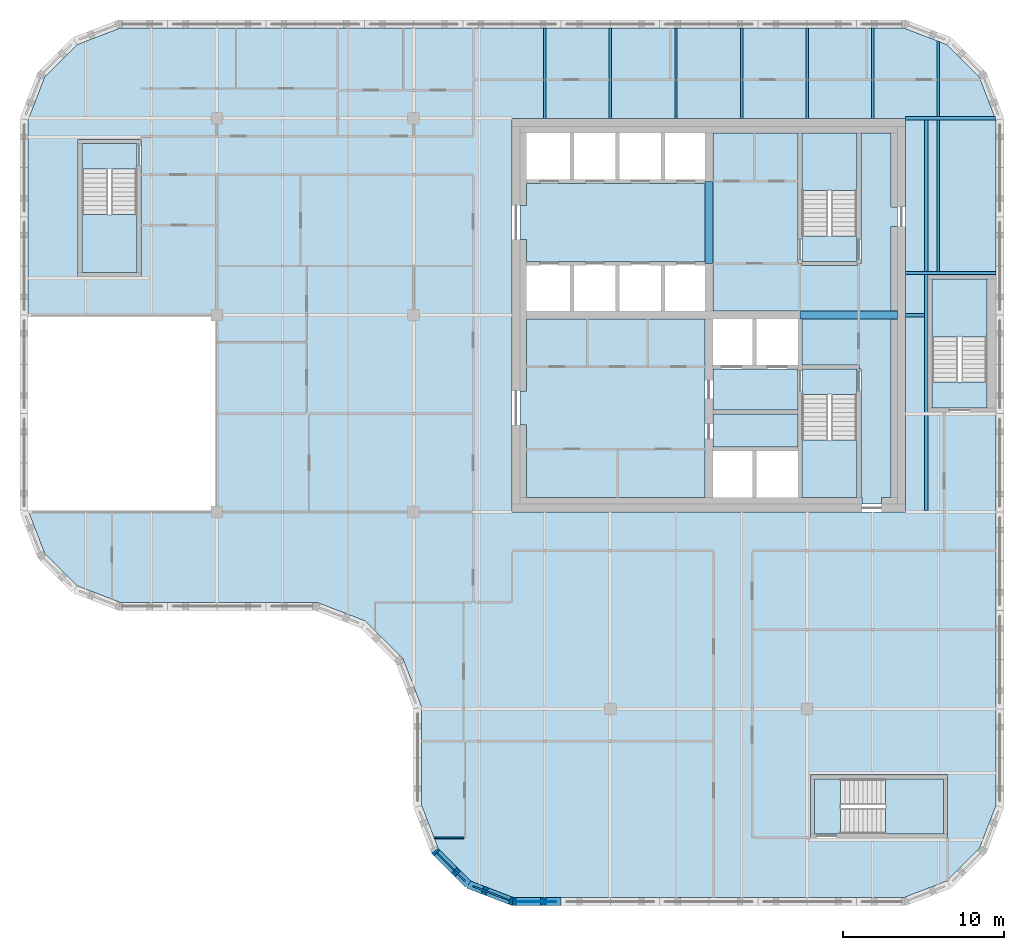
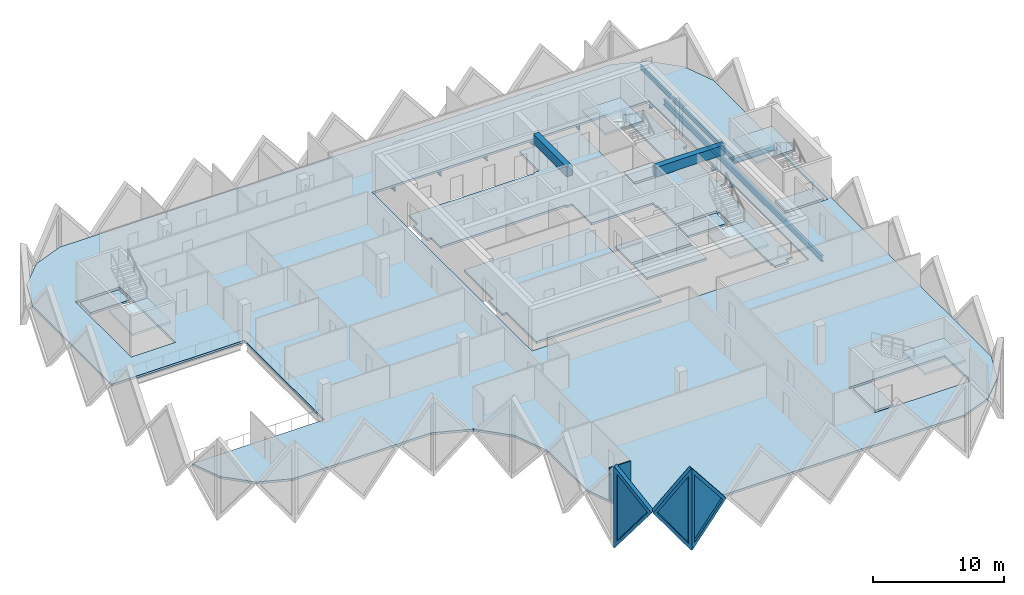
# One storey, part 2 of 12: 15 slabs, 14 beams, 4 walls, 3 plates, 3 openings, 5 elements without a shape of their own.
"""IFC4 building model written with IfcOpenShell, lengths in metres."""

import ifcopenshell
import ifcopenshell.guid

model = None  # the IFC model being written
_history = None  # IfcOwnerHistory: only IFC2X3 demands one
_inside = {}  # id of a spatial element -> (the spatial element, [elements in it])
_under = {}  # id of a project, library or spatial element -> (it, [spatial elements below it])
_declared = {}  # id of a project -> (the project, [libraries it declares])
_typed = {}  # id of a type object -> (the type object, [elements of that type])
_made_of = {}  # id of a material, layer set ... -> (it, [elements and type objects made of it])


def new_model(schema):
    """Start an empty IFC model of exactly this schema.

    Asked for "IFC4X3", IfcOpenShell would pick the latest addendum, in which some entities
    have other attributes; the version numbers below select the first issue.
    IFC2X3 requires an IfcOwnerHistory on every rooted entity: one is made here for all.
    """
    global model, _history
    if schema == "IFC4X3":
        model = ifcopenshell.file(schema_version=(4, 3, 0, 0))
    else:
        model = ifcopenshell.file(schema=schema)
    _inside.clear()
    _under.clear()
    _declared.clear()
    _typed.clear()
    _made_of.clear()
    _history = None
    if model.schema == "IFC2X3":
        org = make("IfcOrganization", Name="unknown")
        user = make(
            "IfcPersonAndOrganization",
            ThePerson=make("IfcPerson", FamilyName="unknown"),
            TheOrganization=org,
        )
        app = make(
            "IfcApplication",
            ApplicationDeveloper=org,
            Version="unknown",
            ApplicationFullName="unknown",
            ApplicationIdentifier="unknown",
        )
        _history = make(
            "IfcOwnerHistory",
            OwningUser=user,
            OwningApplication=app,
            ChangeAction="ADDED",
            CreationDate=0,
        )
    return model


def make(cls, **values):
    """One entity of the class cls with the attributes given. An attribute that is None is left unset."""
    return model.create_entity(
        cls, **{name: value for name, value in values.items() if value is not None}
    )


def rooted(cls, **values):
    """An entity with a GlobalId (a new one), such as an element, a storey or a relation."""
    return make(cls, GlobalId=ifcopenshell.guid.new(), OwnerHistory=_history, **values)


def si_unit(unit_type, name, prefix=None):
    """IfcSIUnit, for example si_unit("LENGTHUNIT", "METRE", prefix="MILLI")."""
    return make("IfcSIUnit", UnitType=unit_type, Prefix=prefix, Name=name)


def assignment(units):
    """IfcUnitAssignment: the units of a project."""
    return None if units is None else make("IfcUnitAssignment", Units=units)


def point(xyz):
    """IfcCartesianPoint."""
    return None if xyz is None else make("IfcCartesianPoint", Coordinates=xyz)


def direction(xyz):
    """IfcDirection."""
    return None if xyz is None else make("IfcDirection", DirectionRatios=xyz)


def frame(location, z_axis=None, x_axis=None):
    """IfcAxis2Placement3D, a coordinate frame: its origin and axes. An axis left out is left unset."""
    return make(
        "IfcAxis2Placement3D",
        Location=point(location),
        Axis=direction(z_axis),
        RefDirection=direction(x_axis),
    )


def frame_2d(location, x_axis=None):
    """IfcAxis2Placement2D, a coordinate frame in the plane: its origin and x axis."""
    return make(
        "IfcAxis2Placement2D", Location=point(location), RefDirection=direction(x_axis)
    )


def origin():
    """The frame at (0, 0, 0) with its axes left unset."""
    return frame((0.0, 0.0, 0.0))


def origin_2d():
    """The frame at (0, 0) in the plane with its x axis left unset."""
    return frame_2d((0.0, 0.0))


def place(relative_to, where):
    """IfcLocalPlacement: puts the frame where relative to a parent placement (None: the world)."""
    return make(
        "IfcLocalPlacement", PlacementRelTo=relative_to, RelativePlacement=where
    )


def context(
    kind, dimensions, precision=None, world=None, true_north=None, identifier=None
):
    """IfcGeometricRepresentationContext, for example the 3D "Model" context."""
    return make(
        "IfcGeometricRepresentationContext",
        ContextIdentifier=identifier,
        ContextType=kind,
        CoordinateSpaceDimension=dimensions,
        Precision=precision,
        WorldCoordinateSystem=world,
        TrueNorth=true_north,
    )


def subcontext(parent, identifier, kind, view, scale=None):
    """IfcGeometricRepresentationSubContext, for example "Body" below "Model"."""
    return make(
        "IfcGeometricRepresentationSubContext",
        ContextIdentifier=identifier,
        ContextType=kind,
        ParentContext=parent,
        TargetScale=scale,
        TargetView=view,
    )


def project(units=None, contexts=None):
    """IfcProject with its units and contexts."""
    return rooted(
        "IfcProject",
        Name="project",
        RepresentationContexts=contexts,
        UnitsInContext=assignment(units),
    )


def spatial(cls, under=None, at=None, **own):
    """A site, building, storey or space (cls), placed at a placement, below another one or the project."""
    s = rooted(cls, ObjectPlacement=at, **own)
    if under is not None:
        _under.setdefault(under.id(), (under, []))[1].append(s)
    return s


def polyline(points):
    """IfcPolyline through the points."""
    return make("IfcPolyline", Points=[point(p) for p in points])


def profile(cls, at=None, kind="AREA", **sizes):
    """A parametric profile (cls). Its sizes go by their IFC names, for example OverallWidth=200.0."""
    return make(cls, ProfileType=kind, Position=at, **sizes)


def rectangle(**sizes):
    """IfcRectangleProfileDef."""
    return profile("IfcRectangleProfileDef", **sizes)


def i_section(**sizes):
    """IfcIShapeProfileDef."""
    return profile("IfcIShapeProfileDef", **sizes)


def outline(outer, holes=None, kind="AREA"):
    """IfcArbitraryClosedProfileDef: a profile drawn as a closed curve; with holes, ...WithVoids."""
    if holes is None:
        return make("IfcArbitraryClosedProfileDef", ProfileType=kind, OuterCurve=outer)
    return make(
        "IfcArbitraryProfileDefWithVoids",
        ProfileType=kind,
        OuterCurve=outer,
        InnerCurves=holes,
    )


def extrude(swept, where, along, depth):
    """IfcExtrudedAreaSolid: the profile swept, set in the frame where, extruded along a direction by depth."""
    return make(
        "IfcExtrudedAreaSolid",
        SweptArea=swept,
        Position=where,
        ExtrudedDirection=direction(along),
        Depth=depth,
    )


def faces_of(points, faces, orient=None, outer=None):
    """IfcFace entities. A face is a list of loops; a loop is a list of indices into points, from 0.

    orient and outer hold one flag for each loop. By default every Orientation is true, the
    first loop of a face is its IfcFaceOuterBound and the others are IfcFaceBound.
    """
    made = []
    for i, loops in enumerate(faces):
        bounds = []
        for j, loop in enumerate(loops):
            is_outer = j == 0 if outer is None else outer[i][j]
            bounds.append(
                make(
                    "IfcFaceOuterBound" if is_outer else "IfcFaceBound",
                    Bound=make("IfcPolyLoop", Polygon=[points[k] for k in loop]),
                    Orientation=True if orient is None else orient[i][j],
                )
            )
        made.append(make("IfcFace", Bounds=bounds))
    return made


def faceted_brep(points, faces, orient=None, outer=None, voids=None):
    """IfcFacetedBrep: a solid bounded by flat faces; with voids (closed shells), ...WithVoids."""
    shared = [point(p) for p in points]
    hull = make("IfcClosedShell", CfsFaces=faces_of(shared, faces, orient, outer))
    if voids is None:
        return make("IfcFacetedBrep", Outer=hull)
    return make(
        "IfcFacetedBrepWithVoids",
        Outer=hull,
        Voids=[
            make(cls, CfsFaces=faces_of(shared, fs, o, b)) for cls, fs, o, b in voids
        ],
    )


def shape(context_of_items, identifier, shape_type, items):
    """IfcShapeRepresentation: the items that make up one representation, for example the "Body"."""
    return make(
        "IfcShapeRepresentation",
        ContextOfItems=context_of_items,
        RepresentationIdentifier=identifier,
        RepresentationType=shape_type,
        Items=items,
    )


def source(mapping_origin, context_of_items, identifier, shape_type, items):
    """IfcRepresentationMap: a shape defined once, which mapped items show again and again."""
    return make(
        "IfcRepresentationMap",
        MappingOrigin=mapping_origin,
        MappedRepresentation=shape(context_of_items, identifier, shape_type, items),
    )


def transform(
    local_origin,
    x_axis=None,
    y_axis=None,
    z_axis=None,
    scale=None,
    scale2=None,
    scale3=None,
    uniform=True,
):
    """IfcCartesianTransformationOperator3D, or its non-uniform kind. x_axis, y_axis, z_axis: its Axis1, 2, 3."""
    if uniform:
        return make(
            "IfcCartesianTransformationOperator3D",
            Axis1=direction(x_axis),
            Axis2=direction(y_axis),
            LocalOrigin=point(local_origin),
            Scale=scale,
            Axis3=direction(z_axis),
        )
    return make(
        "IfcCartesianTransformationOperator3DnonUniform",
        Axis1=direction(x_axis),
        Axis2=direction(y_axis),
        LocalOrigin=point(local_origin),
        Scale=scale,
        Axis3=direction(z_axis),
        Scale2=scale2,
        Scale3=scale3,
    )


def mapped(mapping_source, mapping_target):
    """IfcMappedItem: shows the shape of a source again, moved by a transform."""
    return make(
        "IfcMappedItem", MappingSource=mapping_source, MappingTarget=mapping_target
    )


def material(Name=None, Category=None):
    """IfcMaterial."""
    return make("IfcMaterial", Name=Name, Category=Category)


def layer(
    of_material, thickness, ventilated=None, Name=None, Category=None, Priority=None
):
    """IfcMaterialLayer: one layer of a wall or slab, of a material (None: an air gap)."""
    return make(
        "IfcMaterialLayer",
        Material=of_material,
        LayerThickness=thickness,
        IsVentilated=ventilated,
        Name=Name,
        Category=Category,
        Priority=Priority,
    )


def layer_set(layers, Name=None):
    """IfcMaterialLayerSet."""
    return make("IfcMaterialLayerSet", MaterialLayers=layers, LayerSetName=Name)


def material_profile(
    of_material, cross_section, Name=None, Category=None, Priority=None
):
    """IfcMaterialProfile: a cross section and its material."""
    return make(
        "IfcMaterialProfile",
        Name=Name,
        Material=of_material,
        Profile=cross_section,
        Priority=Priority,
        Category=Category,
    )


def profile_set(profiles, Name=None, composite=None):
    """IfcMaterialProfileSet."""
    return make(
        "IfcMaterialProfileSet",
        Name=Name,
        MaterialProfiles=profiles,
        CompositeProfile=composite,
    )


def made_of(thing, what):
    """Note that an element or type object is made of a material, layer set ...; save() writes the relation."""
    if what is not None:
        _made_of.setdefault(what.id(), (what, []))[1].append(thing)
    return thing


def type_object(cls, material=None, **own):
    """A type object (cls), such as IfcWallType, which elements share."""
    return made_of(rooted(cls, **own), material)


def element(
    cls,
    number,
    at=None,
    inside=None,
    cuts=None,
    type_object=None,
    material=None,
    context=None,
    identifier="Body",
    shape_type=None,
    held_by="IfcProductDefinitionShape",
    body=None,
    shapes=None,
    **own,
):
    """One element of the class cls, such as IfcWall. Its Tag is "e" and its number.

    at: its placement. inside: the storey or other place that contains it. cuts: it is an
    opening in that element (IfcRelVoidsElement). A single representation is given by context,
    identifier, shape_type and body (its items); several are given by shapes. held_by: the class
    of the entity that holds the representations. save() writes the other relations.
    """
    e = rooted(cls, Tag="e%d" % number, ObjectPlacement=at, **own)
    if body is not None:
        shapes = [shape(context, identifier, shape_type, body)]
    if shapes is not None:
        e.Representation = make(held_by, Representations=shapes)
    if inside is not None:
        _inside.setdefault(inside.id(), (inside, []))[1].append(e)
    if cuts is not None:
        rooted(
            "IfcRelVoidsElement", RelatingBuildingElement=cuts, RelatedOpeningElement=e
        )
    if type_object is not None:
        _typed.setdefault(type_object.id(), (type_object, []))[1].append(e)
    return made_of(e, material)


def fill(opening, filler):
    """IfcRelFillsElement: the door or window that sits in an opening."""
    return rooted(
        "IfcRelFillsElement",
        RelatingOpeningElement=opening,
        RelatedBuildingElement=filler,
    )


def aggregate(whole, parts):
    """IfcRelAggregates: a whole, such as a stair, and the parts it consists of."""
    return rooted("IfcRelAggregates", RelatingObject=whole, RelatedObjects=parts)


def save(model, path):
    """Write the relations noted so far, then the file.

    IfcRelAggregates (storeys below a building ...), IfcRelContainedInSpatialStructure (elements
    in a storey), IfcRelDefinesByType, IfcRelAssociatesMaterial and IfcRelDeclares: one each for
    every whole, place, type object, material and project.
    """
    for whole, parts in _under.values():
        aggregate(whole, parts)
    for where, things in _inside.values():
        rooted(
            "IfcRelContainedInSpatialStructure",
            RelatedElements=things,
            RelatingStructure=where,
        )
    for kind, things in _typed.values():
        rooted("IfcRelDefinesByType", RelatedObjects=things, RelatingType=kind)
    for what, things in _made_of.values():
        rooted("IfcRelAssociatesMaterial", RelatedObjects=things, RelatingMaterial=what)
    for by, libraries in _declared.values():
        rooted("IfcRelDeclares", RelatingContext=by, RelatedDefinitions=libraries)
    model.write(path)


model = new_model("IFC4")

# Units and contexts
model_context = context("Model", 3, precision=1e-05, world=origin(), true_north=direction((0.0, 1.0)))
body_context = subcontext(model_context, "Body", "Model", "MODEL_VIEW")
ifc_project = project(units=[si_unit("LENGTHUNIT", "METRE"), si_unit("AREAUNIT", "SQUARE_METRE"), si_unit("VOLUMEUNIT", "CUBIC_METRE"), si_unit("PLANEANGLEUNIT", "RADIAN"), si_unit("MASSUNIT", "GRAM", prefix="KILO")], contexts=[model_context])

# Site, building, storey
site_placement = place(None, origin())
site = spatial("IfcSite", under=ifc_project, at=site_placement, CompositionType="ELEMENT")
building_placement = place(site_placement, origin())
building = spatial("IfcBuilding", under=site, at=building_placement, Name="Tessera Gate Towers", CompositionType="ELEMENT")
storey_placement = place(building_placement, frame((0.0, 0.0, 220.699951171875)))
storey = spatial("IfcBuildingStorey", under=building, at=storey_placement, Name="L55", CompositionType="ELEMENT", Elevation=220.699951171875)

# Beams
ifc_material_1 = material(Name="Concrete C50/60", Category="concrete")
ifc_material_profile_1 = material_profile(ifc_material_1, rectangle(XDim=0.5, YDim=0.89990234375, at=origin_2d()), Name="RC 500x900")
ifc_profile_set_1 = profile_set([ifc_material_profile_1], Name="Concrete C50/60")
beam_type_1 = type_object("IfcBeamType", Name="COUPLING BEAM 500x900 C50/60", PredefinedType="BEAM", material=ifc_profile_set_1)
beam_1_placement = place(storey_placement, frame((48.35009765625, 36.60009765625, 3.150146484375), z_axis=(1.0, 0.0, 0.0), x_axis=(0.0, 1.0, 0.0)))
element("IfcBeam", 1, at=beam_1_placement, inside=storey, type_object=beam_type_1, Name="L55 coupling beam 1", PredefinedType="BEAM", context=body_context, shape_type="SweptSolid", body=[
    extrude(rectangle(XDim=0.5, YDim=0.89990234375, at=origin_2d()), origin(), (0.0, 0.0, 1.0), 6.0498046875),
])
beam_2_placement = place(storey_placement, frame((42.699951171875, 39.800048828125, 3.150146484375), z_axis=(0.0, 1.0, 0.0), x_axis=(-1.0, 0.0, 0.0)))
element("IfcBeam", 2, at=beam_2_placement, inside=storey, type_object=beam_type_1, Name="L55 coupling beam 2", PredefinedType="BEAM", context=body_context, shape_type="SweptSolid", body=[
    extrude(rectangle(XDim=0.5, YDim=0.89990234375, at=origin_2d()), origin(), (0.0, 0.0, 1.0), 5.099853515625),
])
ifc_material_2 = material(Name="Steel 350W", Category="steel")
ifc_material_profile_2 = material_profile(ifc_material_2, i_section(OverallWidth=0.208984375, OverallDepth=0.532958984375, WebThickness=0.01025390625, FlangeThickness=0.015625, at=origin_2d()), Name="W530x92")
ifc_profile_set_2 = profile_set([ifc_material_profile_2], Name="Steel 350W")
beam_type_2 = type_object("IfcBeamType", Name="FLOOR GIRDER W530x92", PredefinedType="BEAM", material=ifc_profile_set_2)
beam_3_placement = place(storey_placement, frame((54.89892578125, 36.60009765625, -0.466552734375), z_axis=(1.0, 0.0, 0.0), x_axis=(0.0, 1.0, 0.0)))
element("IfcBeam", 3, at=beam_3_placement, inside=storey, type_object=beam_type_2, Name="T1-GD-L55-5636", PredefinedType="BEAM", context=body_context, shape_type="SweptSolid", body=[
    extrude(i_section(OverallWidth=0.208984375, OverallDepth=0.532958984375, WebThickness=0.01025390625, FlangeThickness=0.015625, at=origin_2d()), origin(), (0.0, 0.0, 1.0), 1.176513671875),
])
beam_4_placement = place(storey_placement, frame((54.90087890625, 48.800048828125, -0.466552734375), z_axis=(1.0, 0.0, 0.0), x_axis=(0.0, 1.0, 0.0)))
element("IfcBeam", 4, at=beam_4_placement, inside=storey, type_object=beam_type_2, Name="T1-GD-L55-5640", PredefinedType="BEAM", context=body_context, shape_type="SweptSolid", body=[
    extrude(i_section(OverallWidth=0.208984375, OverallDepth=0.532958984375, WebThickness=0.01025390625, FlangeThickness=0.015625, at=origin_2d()), origin(), (0.0, 0.0, 1.0), 5.564208984375),
])
beam_5_placement = place(storey_placement, frame((54.89892578125, 39.219970703125, -0.466552734375), z_axis=(1.0, 0.0, 0.0), x_axis=(0.0, 1.0, 0.0)))
element("IfcBeam", 5, at=beam_5_placement, inside=storey, type_object=beam_type_2, Name="T1-GD-L55-5658", PredefinedType="BEAM", context=body_context, shape_type="SweptSolid", body=[
    extrude(i_section(OverallWidth=0.208984375, OverallDepth=0.532958984375, WebThickness=0.01025390625, FlangeThickness=0.015625, at=origin_2d()), origin(), (0.0, 0.0, 1.0), 5.60205078125),
])
beam_6_placement = place(storey_placement, frame((56.179931640625, 24.50439453125, -0.466552734375), z_axis=(0.0, 1.0, 0.0), x_axis=(-1.0, 0.0, 0.0)))
element("IfcBeam", 6, at=beam_6_placement, inside=storey, type_object=beam_type_2, Name="T1-GD-L55-5659", PredefinedType="BEAM", context=body_context, shape_type="SweptSolid", body=[
    extrude(i_section(OverallWidth=0.208984375, OverallDepth=0.532958984375, WebThickness=0.01025390625, FlangeThickness=0.015625, at=origin_2d()), origin(), (0.0, 0.0, 1.0), 24.191162109375),
])
ifc_material_3 = material(Name="Steel 350W", Category="steel")
ifc_material_profile_3 = material_profile(ifc_material_3, i_section(OverallWidth=0.153076171875, OverallDepth=0.455078125, WebThickness=0.008056640625, FlangeThickness=0.01318359375, at=origin_2d()), Name="W460x60")
ifc_profile_set_3 = profile_set([ifc_material_profile_3], Name="Steel 350W")
beam_type_3 = type_object("IfcBeamType", Name="FLOOR SECONDARY W460x60", PredefinedType="BEAM", material=ifc_profile_set_3)
for number, where, z_axis, x_axis, name in (
    (7, (32.533203125, 48.800048828125, -0.427490234375), (0.0, 1.0, 0.0), (-1.0, 0.0, 0.0), "T1-BM-L55-5681"),
    (8, (36.60009765625, 48.800048828125, -0.427490234375), (0.0, 1.0, 0.0), (-1.0, 0.0, 0.0), "T1-BM-L55-5682"),
    (9, (40.666748046875, 48.800048828125, -0.427490234375), (0.0, 1.0, 0.0), (-1.0, 0.0, 0.0), "T1-BM-L55-5685"),
    (10, (44.7333984375, 48.800048828125, -0.427490234375), (0.0, 1.0, 0.0), (-1.0, 0.0, 0.0), "T1-BM-L55-5688"),
    (11, (48.800048828125, 48.800048828125, -0.427490234375), (0.0, 1.0, 0.0), (-1.0, 0.0, 0.0), "T1-BM-L55-5689"),
    (12, (52.86669921875, 48.800048828125, -0.427490234375), (0.0, 1.0, 0.0), (-1.0, 0.0, 0.0), "T1-BM-L55-5693"),
):
    element("IfcBeam", number, at=place(storey_placement, frame(where, z_axis=z_axis, x_axis=x_axis)), inside=storey, type_object=beam_type_3, Name=name, PredefinedType="BEAM", context=body_context, shape_type="SweptSolid", body=[
        extrude(i_section(OverallWidth=0.153076171875, OverallDepth=0.455078125, WebThickness=0.008056640625, FlangeThickness=0.01318359375, at=origin_2d()), origin(), (0.0, 0.0, 1.0), 5.599853515625),
    ])
beam_7_placement = place(storey_placement, frame((56.933349609375, 39.324462890625, -0.427490234375), z_axis=(0.0, 1.0, 0.0), x_axis=(-1.0, 0.0, 0.0)))
element("IfcBeam", 13, at=beam_7_placement, inside=storey, type_object=beam_type_3, Name="T1-BM-L55-5698", PredefinedType="BEAM", context=body_context, shape_type="SweptSolid", body=[
    extrude(i_section(OverallWidth=0.153076171875, OverallDepth=0.455078125, WebThickness=0.008056640625, FlangeThickness=0.01318359375, at=origin_2d()), origin(), (0.0, 0.0, 1.0), 9.37109375),
])
beam_8_placement = place(storey_placement, frame((56.933349609375, 48.904541015625, -0.427490234375), z_axis=(0.0, 1.0, 0.0), x_axis=(-1.0, 0.0, 0.0)))
element("IfcBeam", 14, at=beam_8_placement, inside=storey, type_object=beam_type_3, Name="T1-BM-L55-5699", PredefinedType="BEAM", context=body_context, shape_type="SweptSolid", body=[
    extrude(i_section(OverallWidth=0.153076171875, OverallDepth=0.455078125, WebThickness=0.008056640625, FlangeThickness=0.01318359375, at=origin_2d()), origin(), (0.0, 0.0, 1.0), 4.675048828125),
])

# Slabs
ifc_material_4 = material(Name="Concrete C35/45", Category="concrete")
ifc_layer_1 = layer(ifc_material_4, 0.199951171875)
ifc_layer_set_1 = layer_set([ifc_layer_1], Name="COMPOSITE FLOOR 200")
slab_type_1 = type_object("IfcSlabType", Name="COMPOSITE FLOOR 200", PredefinedType="FLOOR", material=ifc_layer_set_1)
slab_1_placement = place(storey_placement, frame((0.0, 0.0, -0.199951171875)))
element("IfcSlab", 15, at=slab_1_placement, inside=storey, type_object=slab_type_1, Name="T1-L55", PredefinedType="FLOOR", context=body_context, shape_type="SweptSolid", body=[
    extrude(outline(polyline([(0.5, 36.60009765625), (12.199951171875, 36.60009765625), (12.199951171875, 24.39990234375), (0.535888671875, 24.39990234375), (1.526123046875, 21.8330078125), (3.533203125, 19.826171875), (6.193115234375, 18.800048828125), (18.39306640625, 18.800048828125), (21.42431640625, 17.630615234375), (23.730712890625, 15.32421875), (24.89990234375, 12.293212890625), (24.89990234375, 6.193115234375), (25.926025390625, 3.533203125), (27.93310546875, 1.526123046875), (30.593017578125, 0.5), (54.806884765625, 0.5), (57.466796875, 1.526123046875), (59.473876953125, 3.533203125), (60.5, 6.193115234375), (60.5, 48.706787109375), (59.473876953125, 51.366943359375), (57.466796875, 53.373779296875), (54.806884765625, 54.39990234375), (6.193115234375, 54.39990234375), (3.533203125, 53.373779296875), (1.526123046875, 51.366943359375), (0.5, 48.706787109375), (0.5, 36.60009765625)]), holes=[polyline([(3.60009765625, 39.0), (3.60009765625, 47.5), (7.5, 47.5), (7.5, 39.0), (3.60009765625, 39.0)]), polyline([(30.5, 24.39990234375), (30.5, 48.800048828125), (54.89990234375, 48.800048828125), (54.89990234375, 24.39990234375), (30.5, 24.39990234375)]), polyline([(49.0, 4.199951171875), (49.0, 8.10009765625), (57.5, 8.10009765625), (57.5, 4.199951171875), (49.0, 4.199951171875)]), polyline([(56.300048828125, 30.60009765625), (56.300048828125, 39.10009765625), (60.199951171875, 39.10009765625), (60.199951171875, 30.60009765625), (56.300048828125, 30.60009765625)])]), origin(), (0.0, 0.0, 1.0), 0.199951171875),
])
ifc_material_5 = material(Name="Concrete C35/45", Category="concrete")
ifc_layer_2 = layer(ifc_material_5, 0.199951171875)
ifc_layer_set_2 = layer_set([ifc_layer_2], Name="CORE FLOOR SLAB 200")
slab_type_2 = type_object("IfcSlabType", Name="CORE FLOOR SLAB 200", PredefinedType="FLOOR", material=ifc_layer_set_2)
slab_2_placement = place(storey_placement, frame((0.0, 0.0, -0.199951171875)))
element("IfcSlab", 16, at=slab_2_placement, inside=storey, type_object=slab_type_2, Name="L55 core floor slab", PredefinedType="FLOOR", context=body_context, shape_type="SweptSolid", body=[
    extrude(outline(polyline([(42.449951171875, 44.89990234375), (42.449951171875, 44.77490234375), (31.39990234375, 44.77490234375), (31.39990234375, 43.39990234375), (31.0, 43.39990234375), (31.0, 41.300048828125), (31.39990234375, 41.300048828125), (31.39990234375, 39.925048828125), (42.449951171875, 39.925048828125), (42.449951171875, 39.800048828125), (42.949951171875, 39.800048828125), (42.949951171875, 36.85009765625), (48.35009765625, 36.85009765625), (48.35009765625, 36.35009765625), (48.47509765625, 36.35009765625), (48.47509765625, 33.52490234375), (52.0, 33.52490234375), (52.0, 33.27490234375), (52.125, 33.27490234375), (52.125, 25.300048828125), (52.199951171875, 25.300048828125), (52.199951171875, 24.89990234375), (53.39990234375, 24.89990234375), (53.39990234375, 25.300048828125), (54.0, 25.300048828125), (54.0, 36.320068359375), (54.39990234375, 36.320068359375), (54.39990234375, 36.8798828125), (54.0, 36.8798828125), (54.0, 42.10009765625), (54.39990234375, 42.10009765625), (54.39990234375, 43.300048828125), (54.0, 43.300048828125), (54.0, 47.89990234375), (52.125, 47.89990234375), (52.125, 39.800048828125), (51.875, 39.800048828125), (51.875, 39.675048828125), (48.47509765625, 39.675048828125), (48.47509765625, 39.800048828125), (48.22509765625, 39.800048828125), (48.22509765625, 47.89990234375), (42.949951171875, 47.89990234375), (42.949951171875, 44.89990234375), (42.449951171875, 44.89990234375)])), origin(), (0.0, 0.0, 1.0), 0.199951171875),
])
slab_3_placement = place(storey_placement, frame((0.0, 0.0, -0.199951171875)))
element("IfcSlab", 17, at=slab_3_placement, inside=storey, type_object=slab_type_2, Name="L55 core floor slab", PredefinedType="FLOOR", context=body_context, shape_type="SweptSolid", body=[
    extrude(outline(polyline([(31.39990234375, 36.35009765625), (31.39990234375, 31.89990234375), (31.0, 31.89990234375), (31.0, 29.800048828125), (31.39990234375, 29.800048828125), (31.39990234375, 25.300048828125), (42.449951171875, 25.300048828125), (42.449951171875, 36.35009765625), (31.39990234375, 36.35009765625)])), origin(), (0.0, 0.0, 1.0), 0.199951171875),
])
slab_4_placement = place(storey_placement, frame((0.0, 0.0, -0.199951171875)))
element("IfcSlab", 18, at=slab_4_placement, inside=storey, type_object=slab_type_2, Name="L55 core floor slab", PredefinedType="FLOOR", context=body_context, shape_type="SweptSolid", body=[
    extrude(outline(polyline([(42.949951171875, 33.27490234375), (42.949951171875, 30.72509765625), (48.22509765625, 30.72509765625), (48.22509765625, 33.27490234375), (42.949951171875, 33.27490234375)])), origin(), (0.0, 0.0, 1.0), 0.199951171875),
])
slab_5_placement = place(storey_placement, frame((0.0, 0.0, -0.199951171875)))
element("IfcSlab", 19, at=slab_5_placement, inside=storey, type_object=slab_type_2, Name="L55 core floor slab", PredefinedType="FLOOR", context=body_context, shape_type="SweptSolid", body=[
    extrude(outline(polyline([(48.22509765625, 30.47509765625), (42.949951171875, 30.47509765625), (42.949951171875, 28.425048828125), (48.22509765625, 28.425048828125), (48.22509765625, 30.47509765625)])), origin(), (0.0, 0.0, 1.0), 0.199951171875),
])
slab_6_placement = place(storey_placement, frame((0.0, 0.0, -0.199951171875)))
element("IfcSlab", 20, at=slab_6_placement, inside=storey, type_object=slab_type_2, Name="L55 core floor slab", PredefinedType="FLOOR", context=body_context, shape_type="SweptSolid", body=[
    extrude(outline(polyline([(51.875, 31.675048828125), (51.875, 33.27490234375), (48.47509765625, 33.27490234375), (48.47509765625, 31.675048828125), (51.875, 31.675048828125)])), origin(), (0.0, 0.0, 1.0), 0.199951171875),
])
slab_7_placement = place(storey_placement, frame((0.0, 0.0, -0.199951171875)))
element("IfcSlab", 21, at=slab_7_placement, inside=storey, type_object=slab_type_2, Name="L55 core floor slab", PredefinedType="FLOOR", context=body_context, shape_type="SweptSolid", body=[
    extrude(outline(polyline([(48.47509765625, 41.52490234375), (48.47509765625, 39.925048828125), (51.875, 39.925048828125), (51.875, 41.52490234375), (48.47509765625, 41.52490234375)])), origin(), (0.0, 0.0, 1.0), 0.199951171875),
])
slab_8_placement = place(storey_placement, frame((0.0, 0.0, -0.199951171875)))
element("IfcSlab", 22, at=slab_8_placement, inside=storey, type_object=slab_type_2, Name="L55 ST3 floor landing", PredefinedType="FLOOR", context=body_context, shape_type="SweptSolid", body=[
    extrude(outline(polyline([(3.85009765625, 47.25), (3.85009765625, 45.64990234375), (7.25, 45.64990234375), (7.25, 47.25), (3.85009765625, 47.25)])), origin(), (0.0, 0.0, 1.0), 0.199951171875),
])
slab_9_placement = place(storey_placement, frame((0.0, 0.0, -0.199951171875)))
element("IfcSlab", 23, at=slab_9_placement, inside=storey, type_object=slab_type_2, Name="L55 ST4 floor landing", PredefinedType="FLOOR", context=body_context, shape_type="SweptSolid", body=[
    extrude(outline(polyline([(49.25, 4.449951171875), (50.85009765625, 4.449951171875), (50.85009765625, 7.85009765625), (49.25, 7.85009765625), (49.25, 4.449951171875)])), origin(), (0.0, 0.0, 1.0), 0.199951171875),
])
slab_10_placement = place(storey_placement, frame((0.0, 0.0, -0.199951171875)))
element("IfcSlab", 24, at=slab_10_placement, inside=storey, type_object=slab_type_2, Name="L55 ST5 floor landing", PredefinedType="FLOOR", context=body_context, shape_type="SweptSolid", body=[
    extrude(outline(polyline([(59.949951171875, 30.85009765625), (59.949951171875, 32.449951171875), (56.550048828125, 32.449951171875), (56.550048828125, 30.85009765625), (59.949951171875, 30.85009765625)])), origin(), (0.0, 0.0, 1.0), 0.199951171875),
])

# Stair, slab
ifc_material_6 = material(Name="Concrete C40/50", Category="concrete")
stair_type_1 = type_object("IfcStairType", Name="EXIT STAIR ST1 1600", PredefinedType="HALF_TURN_STAIR", material=ifc_material_6)
stair_1_placement = place(storey_placement, origin())
stair_1 = element("IfcStair", 25, at=stair_1_placement, inside=storey, type_object=stair_type_1, Name="L55 Protected Exit Stair ST1", PredefinedType="HALF_TURN_STAIR")
ifc_material_7 = material(Name="Concrete C40/50", Category="concrete")
ifc_layer_3 = layer(ifc_material_7, 0.199951171875)
ifc_layer_set_3 = layer_set([ifc_layer_3], Name="EXIT STAIR LANDING 200")
slab_type_3 = type_object("IfcSlabType", Name="EXIT STAIR LANDING 200", PredefinedType="LANDING", material=ifc_layer_set_3)
slab_11_placement = place(storey_placement, frame((0.0, 0.0, 1.699951171875)))
slab_11 = element("IfcSlab", 26, at=slab_11_placement, type_object=slab_type_3, Name="ST1 landing 1", PredefinedType="LANDING", context=body_context, shape_type="SweptSolid", body=[
    extrude(outline(polyline([(48.47509765625, 28.875), (48.47509765625, 25.300048828125), (51.875, 25.300048828125), (51.875, 28.875), (48.47509765625, 28.875)])), origin(), (0.0, 0.0, 1.0), 0.2001953125),
])
aggregate(stair_1, [slab_11])

ifc_material_8 = material(Name="Concrete C40/50", Category="concrete")
stair_type_2 = type_object("IfcStairType", Name="EXIT STAIR ST2 1600", PredefinedType="HALF_TURN_STAIR", material=ifc_material_8)
stair_2_placement = place(storey_placement, origin())
stair_2 = element("IfcStair", 27, at=stair_2_placement, inside=storey, type_object=stair_type_2, Name="L55 Protected Exit Stair ST2", PredefinedType="HALF_TURN_STAIR")
slab_12_placement = place(storey_placement, frame((0.0, 0.0, 1.699951171875)))
slab_12 = element("IfcSlab", 28, at=slab_12_placement, type_object=slab_type_3, Name="ST2 landing 1", PredefinedType="LANDING", context=body_context, shape_type="SweptSolid", body=[
    extrude(outline(polyline([(51.875, 44.324951171875), (51.875, 47.89990234375), (48.47509765625, 47.89990234375), (48.47509765625, 44.324951171875), (51.875, 44.324951171875)])), origin(), (0.0, 0.0, 1.0), 0.2001953125),
])
aggregate(stair_2, [slab_12])

ifc_material_9 = material(Name="Concrete C40/50", Category="concrete")
stair_type_3 = type_object("IfcStairType", Name="EXIT STAIR ST3 1600", PredefinedType="HALF_TURN_STAIR", material=ifc_material_9)
stair_3_placement = place(storey_placement, origin())
stair_3 = element("IfcStair", 29, at=stair_3_placement, inside=storey, type_object=stair_type_3, Name="L55 West Exit Stair ST3", PredefinedType="HALF_TURN_STAIR")
slab_13_placement = place(storey_placement, frame((0.0, 0.0, 1.699951171875)))
slab_13 = element("IfcSlab", 30, at=slab_13_placement, type_object=slab_type_3, Name="ST3 landing 1", PredefinedType="LANDING", context=body_context, shape_type="SweptSolid", body=[
    extrude(outline(polyline([(3.85009765625, 42.85009765625), (3.85009765625, 39.25), (7.25, 39.25), (7.25, 42.85009765625), (3.85009765625, 42.85009765625)])), origin(), (0.0, 0.0, 1.0), 0.2001953125),
])
aggregate(stair_3, [slab_13])

ifc_material_10 = material(Name="Concrete C40/50", Category="concrete")
stair_type_4 = type_object("IfcStairType", Name="EXIT STAIR ST4 1600", PredefinedType="HALF_TURN_STAIR", material=ifc_material_10)
stair_4_placement = place(storey_placement, origin())
stair_4 = element("IfcStair", 31, at=stair_4_placement, inside=storey, type_object=stair_type_4, Name="L55 South Exit Stair ST4", PredefinedType="HALF_TURN_STAIR")
slab_14_placement = place(storey_placement, frame((0.0, 0.0, 1.699951171875)))
slab_14 = element("IfcSlab", 32, at=slab_14_placement, type_object=slab_type_3, Name="ST4 landing 1", PredefinedType="LANDING", context=body_context, shape_type="SweptSolid", body=[
    extrude(outline(polyline([(53.64990234375, 4.449951171875), (57.25, 4.449951171875), (57.25, 7.85009765625), (53.64990234375, 7.85009765625), (53.64990234375, 4.449951171875)])), origin(), (0.0, 0.0, 1.0), 0.2001953125),
])
aggregate(stair_4, [slab_14])

ifc_material_11 = material(Name="Concrete C40/50", Category="concrete")
stair_type_5 = type_object("IfcStairType", Name="EXIT STAIR ST5 1600", PredefinedType="HALF_TURN_STAIR", material=ifc_material_11)
stair_5_placement = place(storey_placement, origin())
stair_5 = element("IfcStair", 33, at=stair_5_placement, inside=storey, type_object=stair_type_5, Name="L55 East Exit Stair ST5", PredefinedType="HALF_TURN_STAIR")
slab_15_placement = place(storey_placement, frame((0.0, 0.0, 1.699951171875)))
slab_15 = element("IfcSlab", 34, at=slab_15_placement, type_object=slab_type_3, Name="ST5 landing 1", PredefinedType="LANDING", context=body_context, shape_type="SweptSolid", body=[
    extrude(outline(polyline([(59.949951171875, 35.25), (59.949951171875, 38.85009765625), (56.550048828125, 38.85009765625), (56.550048828125, 35.25), (59.949951171875, 35.25)])), origin(), (0.0, 0.0, 1.0), 0.2001953125),
])
aggregate(stair_5, [slab_15])

# Wall
ifc_material_12 = material(Name="Glass", Category="glass")
ifc_layer_4 = layer(ifc_material_12, 0.10009765625)
ifc_layer_set_4 = layer_set([ifc_layer_4], Name="GLAZED PARTITION 100")
wall_type_1 = type_object("IfcWallType", Name="GLAZED PARTITION 100", PredefinedType="PARTITIONING", material=ifc_layer_set_4)
wall_1_placement = place(storey_placement, frame((25.668701171875, 4.199951171875, 0.0), z_axis=(0.0, 0.0, 1.0), x_axis=(1.0, 0.0, 0.0)))
element("IfcWall", 35, at=wall_1_placement, inside=storey, type_object=wall_type_1, Name="T1-L55-PW-003", PredefinedType="PARTITIONING", context=body_context, shape_type="SweptSolid", body=[
    extrude(rectangle(XDim=1.855224609375, YDim=0.10009765625, at=frame_2d((0.927734375, 0.0))), origin(), (0.0, 0.0, 1.0), 3.067138671875),
])

# Wall, opening, plate
ifc_material_13 = material(Name="Precast concrete C60/75 white", Category="concrete")
ifc_layer_5 = layer(ifc_material_13, 0.5)
ifc_layer_set_5 = layer_set([ifc_layer_5], Name="TS3 corner tessera")
wall_type_2 = type_object("IfcWallType", Name="TS3 corner tessera", PredefinedType="SOLIDWALL", material=ifc_layer_set_5)
shared_shape_1 = source(origin(), body_context, "Body", "Brep", [
    faceted_brep([(0.046630859375, -0.25, 0.0), (3.050048828125, -0.25, 3.800048828125), (0.046630859375, -0.25, 7.60009765625), (0.0, -0.25, 7.5400390625), (0.0, -0.25, 0.06005859375), (0.09326171875, 0.25, 7.541259765625), (3.050048828125, 0.25, 3.800048828125), (0.09326171875, 0.25, 0.058837890625), (0.046630859375, 0.0, 0.0), (0.046630859375, 0.0, 7.60009765625)], [[[0, 1, 2, 3, 4]], [[5, 6, 7]], [[7, 6, 1, 0, 8]], [[6, 5, 9, 2, 1]], [[3, 2, 9]], [[8, 0, 4]], [[7, 8, 4, 3, 9, 5]]]),
])
wall_2_placement = place(storey_placement, frame((30.5, 0.25, -3.800048828125), z_axis=(0.0, 0.0, 1.0), x_axis=(1.0, 0.0, 0.0)))
wall_2 = element("IfcWall", 36, at=wall_2_placement, inside=storey, type_object=wall_type_2, Name="Precast corner tessera T1 TS3-1273", PredefinedType="SOLIDWALL", context=body_context, shape_type="MappedRepresentation", body=[
    mapped(shared_shape_1, transform((0.0, 0.0, 0.0), scale=1.0)),
])
shared_shape_2 = source(origin(), body_context, "Body", "SweptSolid", [
    extrude(outline(polyline([(0.24658203125, 0.65625), (2.7314453125, 3.800048828125), (0.24658203125, 6.94384765625), (0.24658203125, 0.65625)])), frame((0.0, 0.260009765625, 0.0), z_axis=(0.0, -1.0, 0.0), x_axis=(1.0, 0.0, 0.0)), (0.0, 0.0, 1.0), 0.52001953125),
])
opening_1_placement = place(wall_2_placement, origin())
opening_1 = element("IfcOpeningElement", 37, at=opening_1_placement, cuts=wall_2, Name="Opening T1-PL2-1974", PredefinedType="OPENING", context=body_context, shape_type="MappedRepresentation", body=[
    mapped(shared_shape_2, transform((0.0, 0.0, 0.0), scale=1.0)),
])
ifc_material_14 = material(Name="Low-e laminated glass", Category="glass")
ifc_layer_6 = layer(ifc_material_14, 0.06005859375)
ifc_layer_set_6 = layer_set([ifc_layer_6], Name="PL2 rhombic pane")
plate_type = type_object("IfcPlateType", Name="PL2 rhombic pane", PredefinedType="SHEET", material=ifc_layer_set_6)
shared_shape_3 = source(origin(), body_context, "Body", "SweptSolid", [
    extrude(outline(polyline([(0.24658203125, 0.65625), (2.7314453125, 3.800048828125), (0.24658203125, 6.94384765625), (0.24658203125, 0.65625)])), frame((0.0, 0.030029296875, 0.0), z_axis=(0.0, -1.0, 0.0), x_axis=(1.0, 0.0, 0.0)), (0.0, 0.0, 1.0), 0.06005859375),
])
plate_1_placement = place(opening_1_placement, origin())
plate_1 = element("IfcPlate", 38, at=plate_1_placement, inside=storey, type_object=plate_type, Name="Glass pane T1 PL2-1974", PredefinedType="SHEET", context=body_context, shape_type="MappedRepresentation", body=[
    mapped(shared_shape_3, transform((0.0, 0.0, 0.0), scale=1.0)),
])
fill(opening_1, plate_1)

shared_shape_4 = source(origin(), body_context, "Body", "Brep", [
    faceted_brep([(0.052978515625, -0.25, 0.0), (2.9970703125, -0.25, 3.800048828125), (0.052978515625, -0.25, 7.60009765625), (0.0, -0.25, 7.531982421875), (0.0, -0.25, 0.068115234375), (0.10595703125, 0.25, 7.53173828125), (2.944091796875, 0.25, 3.8681640625), (2.944091796875, 0.25, 3.73193359375), (0.10595703125, 0.25, 0.068359375), (2.9970703125, 0.000244140625, 3.800048828125), (0.052978515625, 0.0, 0.0), (0.052978515625, 0.0, 7.60009765625)], [[[0, 1, 2, 3, 4]], [[5, 6, 7, 8]], [[8, 7, 9, 1, 0, 10]], [[6, 5, 11, 2, 1, 9]], [[3, 2, 11]], [[10, 0, 4]], [[8, 10, 4, 3, 11, 5]], [[9, 7, 6]]]),
])
wall_3_placement = place(storey_placement, frame((25.674560546875, 3.43115234375, -3.800048828125), z_axis=(0.0, 0.0, 1.0), x_axis=(0.707106781187, -0.707106781187, 0.0)))
wall_3 = element("IfcWall", 39, at=wall_3_placement, inside=storey, type_object=wall_type_2, Name="Precast corner tessera T1 TS3-1296", PredefinedType="SOLIDWALL", context=body_context, shape_type="MappedRepresentation", body=[
    mapped(shared_shape_4, transform((0.0, 0.0, 0.0), scale=1.0)),
])
shared_shape_5 = source(origin(), body_context, "Body", "SweptSolid", [
    extrude(outline(polyline([(0.2529296875, 0.66650390625), (2.680908203125, 3.800048828125), (0.2529296875, 6.933837890625), (0.2529296875, 0.66650390625)])), frame((0.0, 0.260009765625, 0.0), z_axis=(0.0, -1.0, 0.0), x_axis=(1.0, 0.0, 0.0)), (0.0, 0.0, 1.0), 0.52001953125),
])
opening_2_placement = place(wall_3_placement, origin())
opening_2 = element("IfcOpeningElement", 40, at=opening_2_placement, cuts=wall_3, Name="Opening T1-PL2-2020", PredefinedType="OPENING", context=body_context, shape_type="MappedRepresentation", body=[
    mapped(shared_shape_5, transform((0.0, 0.0, 0.0), scale=1.0)),
])
shared_shape_6 = source(origin(), body_context, "Body", "SweptSolid", [
    extrude(outline(polyline([(0.2529296875, 0.66650390625), (2.680908203125, 3.800048828125), (0.2529296875, 6.933837890625), (0.2529296875, 0.66650390625)])), frame((0.0, 0.030029296875, 0.0), z_axis=(0.0, -1.0, 0.0), x_axis=(1.0, 0.0, 0.0)), (0.0, 0.0, 1.0), 0.06005859375),
])
plate_2_placement = place(opening_2_placement, origin())
plate_2 = element("IfcPlate", 41, at=plate_2_placement, inside=storey, type_object=plate_type, Name="Glass pane T1 PL2-2020", PredefinedType="SHEET", context=body_context, shape_type="MappedRepresentation", body=[
    mapped(shared_shape_6, transform((0.0, 0.0, 0.0), scale=1.0)),
])
fill(opening_2, plate_2)

shared_shape_7 = source(origin(), body_context, "Body", "Brep", [
    faceted_brep([(2.950439453125, -0.25, 0.0), (2.9970703125, -0.25, 0.05908203125), (2.9970703125, -0.25, 7.541015625), (2.950439453125, -0.25, 7.60009765625), (0.0, -0.25, 3.800048828125), (0.052978515625, 0.25, 3.8681640625), (2.904052734375, 0.25, 7.540283203125), (2.904052734375, 0.25, 0.059814453125), (0.052978515625, 0.25, 3.73193359375), (2.950439453125, 0.00048828125, 0.0), (2.950439453125, 0.00048828125, 7.60009765625), (0.0, 0.0, 3.800048828125)], [[[0, 1, 2, 3, 4]], [[5, 6, 7, 8]], [[1, 0, 9]], [[10, 3, 2]], [[6, 5, 11, 4, 3, 10]], [[8, 7, 9, 0, 4, 11]], [[8, 11, 5]], [[1, 9, 7, 6, 10, 2]]]),
])
wall_4_placement = place(storey_placement, frame((27.793701171875, 1.31201171875, -3.800048828125), z_axis=(0.0, 0.0, 1.0), x_axis=(0.932973525033, -0.359944998003, 0.0)))
wall_4 = element("IfcWall", 42, at=wall_4_placement, inside=storey, type_object=wall_type_2, Name="Precast corner tessera T1 TS3-1274", PredefinedType="SOLIDWALL", context=body_context, shape_type="MappedRepresentation", body=[
    mapped(shared_shape_7, transform((0.0, 0.0, 0.0), scale=1.0)),
])
shared_shape_8 = source(origin(), body_context, "Body", "SweptSolid", [
    extrude(outline(polyline([(2.75048828125, 6.934814453125), (0.31640625, 3.800048828125), (2.75048828125, 0.665283203125), (2.75048828125, 6.934814453125)])), frame((0.0, 0.260009765625, 0.0), z_axis=(0.0, -1.0, 0.0), x_axis=(1.0, 0.0, 0.0)), (0.0, 0.0, 1.0), 0.52001953125),
])
opening_3_placement = place(wall_4_placement, origin())
opening_3 = element("IfcOpeningElement", 43, at=opening_3_placement, cuts=wall_4, Name="Opening T1-PL2-1975", PredefinedType="OPENING", context=body_context, shape_type="MappedRepresentation", body=[
    mapped(shared_shape_8, transform((0.0, 0.0, 0.0), scale=1.0)),
])
shared_shape_9 = source(origin(), body_context, "Body", "SweptSolid", [
    extrude(outline(polyline([(2.75048828125, 6.934814453125), (0.31640625, 3.800048828125), (2.75048828125, 0.665283203125), (2.75048828125, 6.934814453125)])), frame((0.0, 0.030029296875, 0.0), z_axis=(0.0, -1.0, 0.0), x_axis=(1.0, 0.0, 0.0)), (0.0, 0.0, 1.0), 0.06005859375),
])
plate_3_placement = place(opening_3_placement, origin())
plate_3 = element("IfcPlate", 44, at=plate_3_placement, inside=storey, type_object=plate_type, Name="Glass pane T1 PL2-1975", PredefinedType="SHEET", context=body_context, shape_type="MappedRepresentation", body=[
    mapped(shared_shape_9, transform((0.0, 0.0, 0.0), scale=1.0)),
])
fill(opening_3, plate_3)

save(model, "model.ifc")
